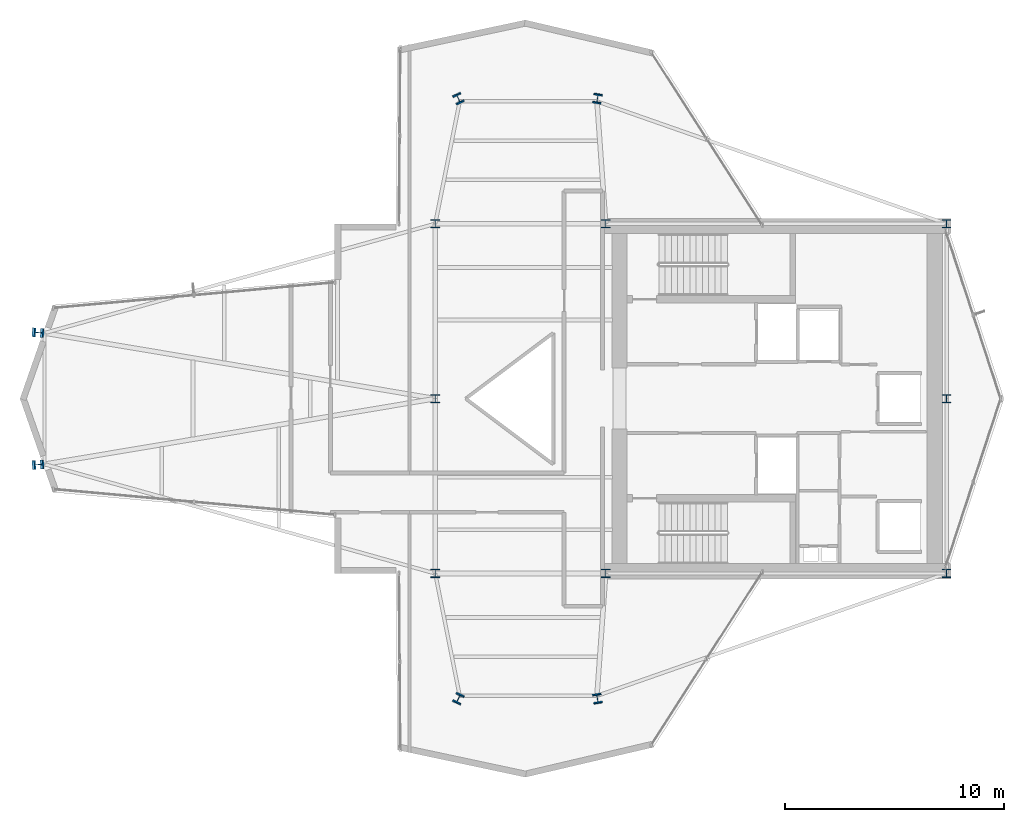
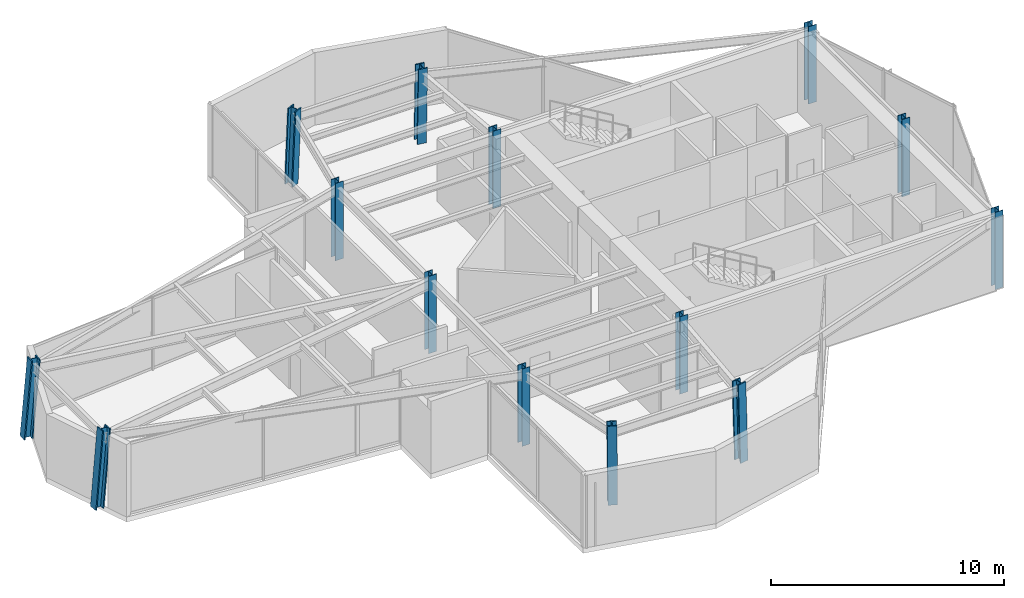
# One storey, part 1 of 23: 14 columns.
"""IFC4 building model written with IfcOpenShell, lengths in metres."""

from ifc_helpers import new_model, si_unit, direction, frame, origin, origin_2d, place, context, subcontext, project, spatial, i_section, extrude, material, material_profile, profile_set, type_object, element, save


model = new_model("IFC4")

# Units and contexts
model_context = context("Model", 3, precision=1e-05, world=origin(), true_north=direction((0.0, 1.0)))
body_context = subcontext(model_context, "Body", "Model", "MODEL_VIEW")
ifc_project = project(units=[si_unit("LENGTHUNIT", "METRE"), si_unit("AREAUNIT", "SQUARE_METRE"), si_unit("VOLUMEUNIT", "CUBIC_METRE"), si_unit("PLANEANGLEUNIT", "RADIAN"), si_unit("MASSUNIT", "GRAM", prefix="KILO")], contexts=[model_context])

# Site, building, storey
site_placement = place(None, origin())
site = spatial("IfcSite", under=ifc_project, at=site_placement, CompositionType="ELEMENT")
building_placement = place(site_placement, origin())
building = spatial("IfcBuilding", under=site, at=building_placement, Name="Veymaron Broadcast Tower", CompositionType="ELEMENT")
storey_placement = place(building_placement, frame((0.0, 0.0, 199.949951171875)))
storey = spatial("IfcBuildingStorey", under=building, at=storey_placement, Name="L46", CompositionType="ELEMENT", Elevation=199.949951171875)

# Columns
ifc_material_1 = material(Name="Structural steel ASTM A992 Gr 50", Category="steel")
ifc_material_profile_1 = material_profile(ifc_material_1, i_section(OverallWidth=0.39404296875, OverallDepth=0.375, WebThickness=0.017333984375, FlangeThickness=0.027587890625, at=origin_2d()), Name="W360X216")
ifc_profile_set_1 = profile_set([ifc_material_profile_1], Name="Structural steel ASTM A992 Gr 50")
column_type_1 = type_object("IfcColumnType", Name="COL-HC3", PredefinedType="COLUMN", material=ifc_profile_set_1)
for number, where, z_axis, x_axis, name in (
    (1, (31.199951171875, 16.0, 0.0), (0.0, 0.0, 1.0), (1.0, 0.0, 0.0), "L46 structural hub and core column"),
    (2, (31.199951171875, 24.0, 0.0), (0.0, 0.0, 1.0), (1.0, 0.0, 0.0), "L46 structural hub and core column"),
    (3, (31.199951171875, 32.0, 0.0), (0.0, 0.0, 1.0), (1.0, 0.0, 0.0), "L46 structural hub and core column"),
    (4, (39.0, 16.0, 0.0), (0.0, 0.0, 1.0), (1.0, 0.0, 0.0), "L46 structural hub and core column"),
    (5, (39.0, 32.0, 0.0), (0.0, 0.0, 1.0), (1.0, 0.0, 0.0), "L46 structural hub and core column"),
    (6, (54.60009765625, 16.0, 0.0), (0.0, 0.0, 1.0), (1.0, 0.0, 0.0), "L46 structural hub and core column"),
    (7, (54.60009765625, 24.0, 0.0), (0.0, 0.0, 1.0), (1.0, 0.0, 0.0), "L46 structural hub and core column"),
    (8, (54.60009765625, 32.0, 0.0), (0.0, 0.0, 1.0), (1.0, 0.0, 0.0), "L46 structural hub and core column"),
):
    element("IfcColumn", number, at=place(storey_placement, frame(where, z_axis=z_axis, x_axis=x_axis)), inside=storey, type_object=column_type_1, Name=name, PredefinedType="COLUMN", context=body_context, shape_type="SweptSolid", body=[
        extrude(i_section(OverallWidth=0.39404296875, OverallDepth=0.375, WebThickness=0.017333984375, FlangeThickness=0.027587890625, at=origin_2d()), origin(), (0.0, 0.0, 1.0), 4.0439453125),
    ])
ifc_material_2 = material(Name="Structural steel ASTM A913 Gr 65", Category="steel")
ifc_material_profile_2 = material_profile(ifc_material_2, i_section(OverallWidth=0.412109375, OverallDepth=0.43505859375, WebThickness=0.035888671875, FlangeThickness=0.05810546875, at=origin_2d()), Name="W360X463")
ifc_profile_set_2 = profile_set([ifc_material_profile_2], Name="Structural steel ASTM A913 Gr 65")
column_type_2 = type_object("IfcColumnType", Name="COL-MC3", PredefinedType="COLUMN", material=ifc_profile_set_2)
for number, where, z_axis, x_axis, name in (
    (9, (12.97509765625, 20.97509765625, 0.01611328125), (0.085543749702, 0.006175132675, 0.996315278726), (-0.071999487784, 0.997404669008, 0.0), "L46 Tapered Wing Mega Column"),
    (10, (12.97509765625, 27.02490234375, 0.01611328125), (0.085543749702, -0.006175132675, 0.996315278726), (0.071999487784, 0.997404669008, 0.0), "L46 Tapered Wing Mega Column"),
):
    element("IfcColumn", number, at=place(storey_placement, frame(where, z_axis=z_axis, x_axis=x_axis)), inside=storey, type_object=column_type_2, Name=name, PredefinedType="COLUMN", context=body_context, shape_type="SweptSolid", body=[
        extrude(i_section(OverallWidth=0.412109375, OverallDepth=0.43505859375, WebThickness=0.035888671875, FlangeThickness=0.05810546875, at=origin_2d()), origin(), (0.0, 0.0, 1.0), 4.03271484375),
    ])
column_1_placement = place(storey_placement, frame((32.25, 37.75, 0.01611328125), z_axis=(0.017424616635, -0.037277751269, 0.999153017308), x_axis=(0.905919107853, 0.423450788199, 0.0)))
element("IfcColumn", 11, at=column_1_placement, inside=storey, type_object=column_type_2, Name="L46 Tapered Wing Mega Column", PredefinedType="COLUMN", context=body_context, shape_type="SweptSolid", body=[
    extrude(i_section(OverallWidth=0.412109375, OverallDepth=0.43505859375, WebThickness=0.035888671875, FlangeThickness=0.05810546875, at=origin_2d()), origin(), (0.0, 0.0, 1.0), 4.021240234375),
])
column_2_placement = place(storey_placement, frame((38.625, 37.75, 0.01611328125), z_axis=(-0.006193542422, -0.03728269654, 0.999285565077), x_axis=(0.986480631929, -0.163877889995, 0.0)))
element("IfcColumn", 12, at=column_2_placement, inside=storey, type_object=column_type_2, Name="L46 Tapered Wing Mega Column", PredefinedType="COLUMN", context=body_context, shape_type="SweptSolid", body=[
    extrude(i_section(OverallWidth=0.412109375, OverallDepth=0.43505859375, WebThickness=0.035888671875, FlangeThickness=0.05810546875, at=origin_2d()), origin(), (0.0, 0.0, 1.0), 4.020751953125),
])
column_3_placement = place(storey_placement, frame((32.25, 10.25, 0.01611328125), z_axis=(0.017424616635, 0.037277751269, 0.999153017308), x_axis=(-0.905919107853, 0.423450788199, 0.0)))
element("IfcColumn", 13, at=column_3_placement, inside=storey, type_object=column_type_2, Name="L46 Tapered Wing Mega Column", PredefinedType="COLUMN", context=body_context, shape_type="SweptSolid", body=[
    extrude(i_section(OverallWidth=0.412109375, OverallDepth=0.43505859375, WebThickness=0.035888671875, FlangeThickness=0.05810546875, at=origin_2d()), origin(), (0.0, 0.0, 1.0), 4.021240234375),
])
column_4_placement = place(storey_placement, frame((38.625, 10.25, 0.01611328125), z_axis=(-0.006193542422, 0.03728269654, 0.999285565077), x_axis=(-0.986480631929, -0.163877889995, 0.0)))
element("IfcColumn", 14, at=column_4_placement, inside=storey, type_object=column_type_2, Name="L46 Tapered Wing Mega Column", PredefinedType="COLUMN", context=body_context, shape_type="SweptSolid", body=[
    extrude(i_section(OverallWidth=0.412109375, OverallDepth=0.43505859375, WebThickness=0.035888671875, FlangeThickness=0.05810546875, at=origin_2d()), origin(), (0.0, 0.0, 1.0), 4.020751953125),
])

save(model, "model.ifc")
